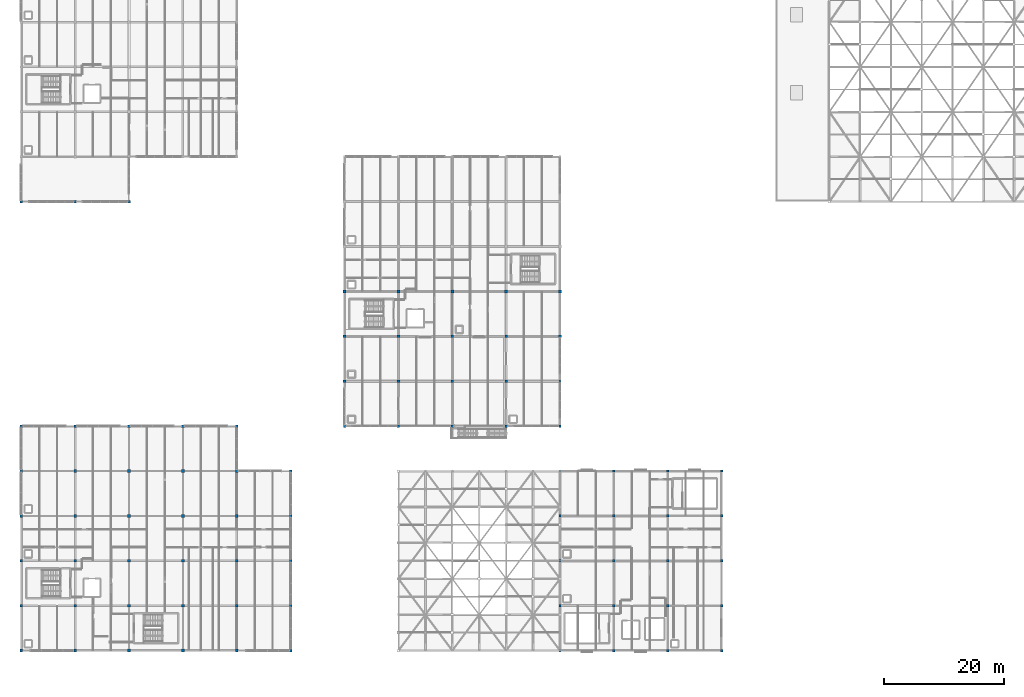
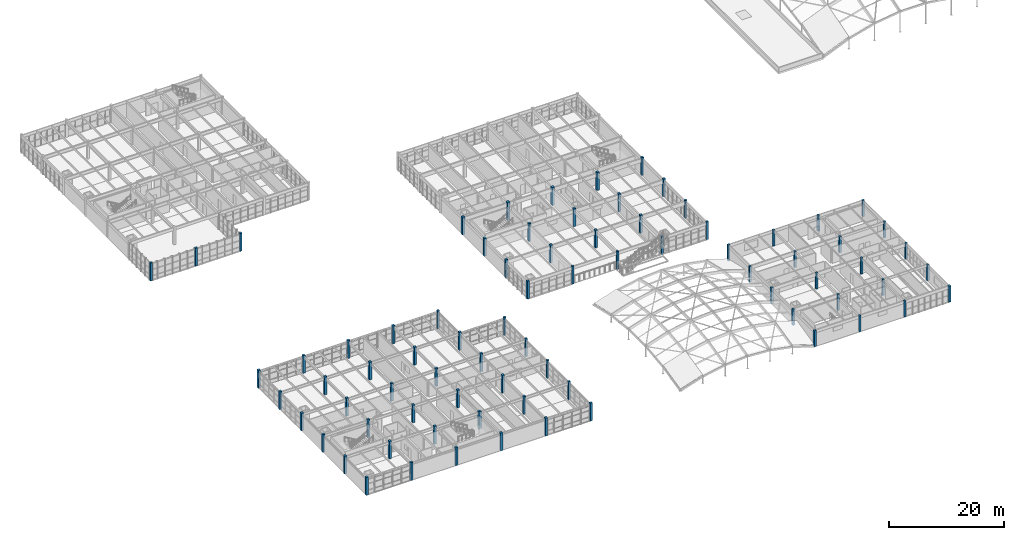
# One storey, part 1 of 81: 78 columns.
"""IFC4 building model written with IfcOpenShell, lengths in metres."""

from ifc_helpers import new_model, si_unit, direction, frame, origin, origin_2d, place, context, subcontext, project, spatial, rectangle, extrude, material, material_profile, profile_set, type_object, element, save


model = new_model("IFC4")

# Units and contexts
model_context = context("Model", 3, precision=1e-05, world=origin(), true_north=direction((0.0, 1.0)))
body_context = subcontext(model_context, "Body", "Model", "MODEL_VIEW")
ifc_project = project(units=[si_unit("LENGTHUNIT", "METRE"), si_unit("AREAUNIT", "SQUARE_METRE"), si_unit("VOLUMEUNIT", "CUBIC_METRE"), si_unit("PLANEANGLEUNIT", "RADIAN"), si_unit("MASSUNIT", "GRAM", prefix="KILO")], contexts=[model_context])

# Site, building, storey
site_placement = place(None, origin())
site = spatial("IfcSite", under=ifc_project, at=site_placement, CompositionType="ELEMENT")
building_placement = place(site_placement, origin())
building = spatial("IfcBuilding", under=site, at=building_placement, Name="Marnridge Secondary College", CompositionType="ELEMENT")
storey_placement = place(building_placement, frame((0.0, 0.0, 8.5)))
storey = spatial("IfcBuildingStorey", under=building, at=storey_placement, Name="L02", CompositionType="ELEMENT", Elevation=8.5)

# Columns
ifc_material_1 = material(Name="Glulam timber GL21", Category="wood")
ifc_material_profile_1 = material_profile(ifc_material_1, rectangle(XDim=0.39990234375, YDim=0.39990234375, at=origin_2d()), Name="GL21 400x400")
ifc_profile_set_1 = profile_set([ifc_material_profile_1], Name="Glulam timber GL21")
column_type_1 = type_object("IfcColumnType", Name="CL-GL400-EXT", PredefinedType="COLUMN", material=ifc_profile_set_1)
column_1_placement = place(storey_placement, frame((45.0, 0.0, 0.0), z_axis=(0.0, 0.0, 1.0), x_axis=(1.0, 0.0, 0.0)))
element("IfcColumn", 1, at=column_1_placement, inside=storey, type_object=column_type_1, Name="Column C-L02-0028", PredefinedType="COLUMN", context=body_context, shape_type="SweptSolid", body=[
    extrude(rectangle(XDim=0.39990234375, YDim=0.39990234375, at=origin_2d()), origin(), (0.0, 0.0, 1.0), 3.800048828125),
])
for number, where, z_axis, x_axis, name in (
    (2, (90.0, 0.0, 0.0), (0.0, 0.0, 1.0), (1.0, 0.0, 0.0), "Column C-L02-0038"),
    (3, (99.0, 0.0, 0.0), (0.0, 0.0, 1.0), (1.0, 0.0, 0.0), "Column C-L02-0041"),
    (4, (108.0, 0.0, 0.0), (0.0, 0.0, 1.0), (1.0, 0.0, 0.0), "Column C-L02-0044"),
    (5, (117.0, 0.0, 0.0), (0.0, 0.0, 1.0), (1.0, 0.0, 0.0), "Column C-L02-0047"),
):
    element("IfcColumn", number, at=place(storey_placement, frame(where, z_axis=z_axis, x_axis=x_axis)), inside=storey, type_object=column_type_1, Name=name, PredefinedType="COLUMN", context=body_context, shape_type="SweptSolid", body=[
        extrude(rectangle(XDim=0.39990234375, YDim=0.39990234375, at=origin_2d()), origin(), (0.0, 0.0, 1.0), 3.419921875),
    ])
column_2_placement = place(storey_placement, frame((45.0, 7.5, 0.0), z_axis=(0.0, 0.0, 1.0), x_axis=(1.0, 0.0, 0.0)))
element("IfcColumn", 6, at=column_2_placement, inside=storey, type_object=column_type_1, Name="Column C-L02-0080", PredefinedType="COLUMN", context=body_context, shape_type="SweptSolid", body=[
    extrude(rectangle(XDim=0.39990234375, YDim=0.39990234375, at=origin_2d()), origin(), (0.0, 0.0, 1.0), 3.800048828125),
])
for number, where, z_axis, x_axis, name in (
    (7, (90.0, 7.5, 0.0), (0.0, 0.0, 1.0), (1.0, 0.0, 0.0), "Column C-L02-0086"),
    (8, (117.0, 7.5, 0.0), (0.0, 0.0, 1.0), (1.0, 0.0, 0.0), "Column C-L02-0095"),
):
    element("IfcColumn", number, at=place(storey_placement, frame(where, z_axis=z_axis, x_axis=x_axis)), inside=storey, type_object=column_type_1, Name=name, PredefinedType="COLUMN", context=body_context, shape_type="SweptSolid", body=[
        extrude(rectangle(XDim=0.39990234375, YDim=0.39990234375, at=origin_2d()), origin(), (0.0, 0.0, 1.0), 3.419921875),
    ])
column_3_placement = place(storey_placement, frame((45.0, 15.0, 0.0), z_axis=(0.0, 0.0, 1.0), x_axis=(1.0, 0.0, 0.0)))
element("IfcColumn", 9, at=column_3_placement, inside=storey, type_object=column_type_1, Name="Column C-L02-0125", PredefinedType="COLUMN", context=body_context, shape_type="SweptSolid", body=[
    extrude(rectangle(XDim=0.39990234375, YDim=0.39990234375, at=origin_2d()), origin(), (0.0, 0.0, 1.0), 3.800048828125),
])
for number, where, z_axis, x_axis, name in (
    (10, (90.0, 15.0, 0.0), (0.0, 0.0, 1.0), (1.0, 0.0, 0.0), "Column C-L02-0131"),
    (11, (117.0, 15.0, 0.0), (0.0, 0.0, 1.0), (1.0, 0.0, 0.0), "Column C-L02-0140"),
):
    element("IfcColumn", number, at=place(storey_placement, frame(where, z_axis=z_axis, x_axis=x_axis)), inside=storey, type_object=column_type_1, Name=name, PredefinedType="COLUMN", context=body_context, shape_type="SweptSolid", body=[
        extrude(rectangle(XDim=0.39990234375, YDim=0.39990234375, at=origin_2d()), origin(), (0.0, 0.0, 1.0), 3.419921875),
    ])
column_4_placement = place(storey_placement, frame((45.0, 22.5, 0.0), z_axis=(0.0, 0.0, 1.0), x_axis=(1.0, 0.0, 0.0)))
element("IfcColumn", 12, at=column_4_placement, inside=storey, type_object=column_type_1, Name="Column C-L02-0170", PredefinedType="COLUMN", context=body_context, shape_type="SweptSolid", body=[
    extrude(rectangle(XDim=0.39990234375, YDim=0.39990234375, at=origin_2d()), origin(), (0.0, 0.0, 1.0), 3.800048828125),
])
for number, where, z_axis, x_axis, name in (
    (13, (90.0, 22.5, 0.0), (0.0, 0.0, 1.0), (1.0, 0.0, 0.0), "Column C-L02-0176"),
    (14, (117.0, 22.5, 0.0), (0.0, 0.0, 1.0), (1.0, 0.0, 0.0), "Column C-L02-0185"),
):
    element("IfcColumn", number, at=place(storey_placement, frame(where, z_axis=z_axis, x_axis=x_axis)), inside=storey, type_object=column_type_1, Name=name, PredefinedType="COLUMN", context=body_context, shape_type="SweptSolid", body=[
        extrude(rectangle(XDim=0.39990234375, YDim=0.39990234375, at=origin_2d()), origin(), (0.0, 0.0, 1.0), 3.419921875),
    ])
column_5_placement = place(storey_placement, frame((45.0, 30.0, 0.0), z_axis=(0.0, 0.0, 1.0), x_axis=(1.0, 0.0, 0.0)))
element("IfcColumn", 15, at=column_5_placement, inside=storey, type_object=column_type_1, Name="Column C-L02-0215", PredefinedType="COLUMN", context=body_context, shape_type="SweptSolid", body=[
    extrude(rectangle(XDim=0.39990234375, YDim=0.39990234375, at=origin_2d()), origin(), (0.0, 0.0, 1.0), 3.800048828125),
])
for number, where, z_axis, x_axis, name in (
    (16, (90.0, 30.0, 0.0), (0.0, 0.0, 1.0), (1.0, 0.0, 0.0), "Column C-L02-0225"),
    (17, (99.0, 30.0, 0.0), (0.0, 0.0, 1.0), (1.0, 0.0, 0.0), "Column C-L02-0228"),
    (18, (108.0, 30.0, 0.0), (0.0, 0.0, 1.0), (1.0, 0.0, 0.0), "Column C-L02-0231"),
    (19, (117.0, 30.0, 0.0), (0.0, 0.0, 1.0), (1.0, 0.0, 0.0), "Column C-L02-0234"),
):
    element("IfcColumn", number, at=place(storey_placement, frame(where, z_axis=z_axis, x_axis=x_axis)), inside=storey, type_object=column_type_1, Name=name, PredefinedType="COLUMN", context=body_context, shape_type="SweptSolid", body=[
        extrude(rectangle(XDim=0.39990234375, YDim=0.39990234375, at=origin_2d()), origin(), (0.0, 0.0, 1.0), 3.419921875),
    ])
for number, where, z_axis, x_axis, name in (
    (20, (36.0, 37.5, 0.0), (0.0, 0.0, 1.0), (1.0, 0.0, 0.0), "Column C-L02-0262"),
    (21, (54.0, 37.5, 0.0), (0.0, 0.0, 1.0), (1.0, 0.0, 0.0), "Column C-L02-0266"),
    (22, (63.0, 37.5, 0.0), (0.0, 0.0, 1.0), (1.0, 0.0, 0.0), "Column C-L02-0269"),
    (23, (72.0, 37.5, 0.0), (0.0, 0.0, 1.0), (1.0, 0.0, 0.0), "Column C-L02-0272"),
    (24, (81.0, 37.5, 0.0), (0.0, 0.0, 1.0), (1.0, 0.0, 0.0), "Column C-L02-0275"),
    (25, (90.0, 37.5, 0.0), (0.0, 0.0, 1.0), (1.0, 0.0, 0.0), "Column C-L02-0278"),
    (26, (90.0, 45.0, 0.0), (0.0, 0.0, 1.0), (1.0, 0.0, 0.0), "Column C-L02-0312"),
    (27, (0.0, 75.0, 0.0), (0.0, 0.0, 1.0), (1.0, 0.0, 0.0), "Column C-L02-0423"),
    (28, (9.0, 75.0, 0.0), (0.0, 0.0, 1.0), (1.0, 0.0, 0.0), "Column C-L02-0426"),
    (29, (18.0, 75.0, 0.0), (0.0, 0.0, 1.0), (1.0, 0.0, 0.0), "Column C-L02-0429"),
):
    element("IfcColumn", number, at=place(storey_placement, frame(where, z_axis=z_axis, x_axis=x_axis)), inside=storey, type_object=column_type_1, Name=name, PredefinedType="COLUMN", context=body_context, shape_type="SweptSolid", body=[
        extrude(rectangle(XDim=0.39990234375, YDim=0.39990234375, at=origin_2d()), origin(), (0.0, 0.0, 1.0), 3.800048828125),
    ])
ifc_material_2 = material(Name="Glulam timber GL21", Category="wood")
ifc_material_profile_2 = material_profile(ifc_material_2, rectangle(XDim=0.39990234375, YDim=0.39990234375, at=origin_2d()), Name="GL21 400x400")
ifc_profile_set_2 = profile_set([ifc_material_profile_2], Name="Glulam timber GL21")
column_type_2 = type_object("IfcColumnType", Name="CL-GL400-INT", PredefinedType="COLUMN", material=ifc_profile_set_2)
for number, where, z_axis, x_axis, name in (
    (30, (99.0, 7.5, 0.0), (0.0, 0.0, 1.0), (1.0, 0.0, 0.0), "Column C-L02-0089"),
    (31, (108.0, 7.5, 0.0), (0.0, 0.0, 1.0), (1.0, 0.0, 0.0), "Column C-L02-0092"),
    (32, (99.0, 15.0, 0.0), (0.0, 0.0, 1.0), (1.0, 0.0, 0.0), "Column C-L02-0134"),
    (33, (108.0, 15.0, 0.0), (0.0, 0.0, 1.0), (1.0, 0.0, 0.0), "Column C-L02-0137"),
    (34, (99.0, 22.5, 0.0), (0.0, 0.0, 1.0), (1.0, 0.0, 0.0), "Column C-L02-0179"),
    (35, (108.0, 22.5, 0.0), (0.0, 0.0, 1.0), (1.0, 0.0, 0.0), "Column C-L02-0182"),
):
    element("IfcColumn", number, at=place(storey_placement, frame(where, z_axis=z_axis, x_axis=x_axis)), inside=storey, type_object=column_type_2, Name=name, PredefinedType="COLUMN", context=body_context, shape_type="SweptSolid", body=[
        extrude(rectangle(XDim=0.39990234375, YDim=0.39990234375, at=origin_2d()), origin(), (0.0, 0.0, 1.0), 3.419921875),
    ])
ifc_material_3 = material(Name="Glulam timber GL21", Category="wood")
ifc_material_profile_3 = material_profile(ifc_material_3, rectangle(XDim=0.449951171875, YDim=0.449951171875, at=origin_2d()), Name="GL21 450x450")
ifc_profile_set_3 = profile_set([ifc_material_profile_3], Name="Glulam timber GL21")
column_type_3 = type_object("IfcColumnType", Name="CL-GL450-EXT", PredefinedType="COLUMN", material=ifc_profile_set_3)
for number, where, z_axis, x_axis, name in (
    (36, (0.0, 0.0, 0.0), (0.0, 0.0, 1.0), (1.0, 0.0, 0.0), "Column C-L02-0003"),
    (37, (9.0, 0.0, 0.0), (0.0, 0.0, 1.0), (1.0, 0.0, 0.0), "Column C-L02-0008"),
    (38, (18.0, 0.0, 0.0), (0.0, 0.0, 1.0), (1.0, 0.0, 0.0), "Column C-L02-0013"),
    (39, (27.0, 0.0, 0.0), (0.0, 0.0, 1.0), (1.0, 0.0, 0.0), "Column C-L02-0018"),
    (40, (36.0, 0.0, 0.0), (0.0, 0.0, 1.0), (1.0, 0.0, 0.0), "Column C-L02-0023"),
    (41, (0.0, 7.5, 0.0), (0.0, 0.0, 1.0), (1.0, 0.0, 0.0), "Column C-L02-0055"),
    (42, (0.0, 15.0, 0.0), (0.0, 0.0, 1.0), (1.0, 0.0, 0.0), "Column C-L02-0100"),
    (43, (0.0, 22.5, 0.0), (0.0, 0.0, 1.0), (1.0, 0.0, 0.0), "Column C-L02-0145"),
    (44, (0.0, 30.0, 0.0), (0.0, 0.0, 1.0), (1.0, 0.0, 0.0), "Column C-L02-0190"),
    (45, (18.0, 30.0, 0.0), (0.0, 0.0, 1.0), (1.0, 0.0, 0.0), "Column C-L02-0200"),
    (46, (27.0, 30.0, 0.0), (0.0, 0.0, 1.0), (1.0, 0.0, 0.0), "Column C-L02-0205"),
    (47, (36.0, 30.0, 0.0), (0.0, 0.0, 1.0), (1.0, 0.0, 0.0), "Column C-L02-0210"),
    (48, (0.0, 37.5, 0.0), (0.0, 0.0, 1.0), (1.0, 0.0, 0.0), "Column C-L02-0242"),
    (49, (9.0, 37.5, 0.0), (0.0, 0.0, 1.0), (1.0, 0.0, 0.0), "Column C-L02-0247"),
    (50, (18.0, 37.5, 0.0), (0.0, 0.0, 1.0), (1.0, 0.0, 0.0), "Column C-L02-0252"),
    (51, (27.0, 37.5, 0.0), (0.0, 0.0, 1.0), (1.0, 0.0, 0.0), "Column C-L02-0257"),
    (52, (54.0, 45.0, 0.0), (0.0, 0.0, 1.0), (1.0, 0.0, 0.0), "Column C-L02-0292"),
    (53, (63.0, 45.0, 0.0), (0.0, 0.0, 1.0), (1.0, 0.0, 0.0), "Column C-L02-0297"),
    (54, (72.0, 45.0, 0.0), (0.0, 0.0, 1.0), (1.0, 0.0, 0.0), "Column C-L02-0302"),
    (55, (81.0, 45.0, 0.0), (0.0, 0.0, 1.0), (1.0, 0.0, 0.0), "Column C-L02-0307"),
    (56, (54.0, 52.5, 0.0), (0.0, 0.0, 1.0), (1.0, 0.0, 0.0), "Column C-L02-0318"),
    (57, (63.0, 52.5, 0.0), (0.0, 0.0, 1.0), (1.0, 0.0, 0.0), "Column C-L02-0325"),
    (58, (72.0, 52.5, 0.0), (0.0, 0.0, 1.0), (1.0, 0.0, 0.0), "Column C-L02-0332"),
    (59, (81.0, 52.5, 0.0), (0.0, 0.0, 1.0), (1.0, 0.0, 0.0), "Column C-L02-0339"),
    (60, (90.0, 52.5, 0.0), (0.0, 0.0, 1.0), (1.0, 0.0, 0.0), "Column C-L02-0346"),
    (61, (54.0, 60.0, 0.0), (0.0, 0.0, 1.0), (1.0, 0.0, 0.0), "Column C-L02-0353"),
    (62, (90.0, 60.0, 0.0), (0.0, 0.0, 1.0), (1.0, 0.0, 0.0), "Column C-L02-0381"),
):
    element("IfcColumn", number, at=place(storey_placement, frame(where, z_axis=z_axis, x_axis=x_axis)), inside=storey, type_object=column_type_3, Name=name, PredefinedType="COLUMN", context=body_context, shape_type="SweptSolid", body=[
        extrude(rectangle(XDim=0.449951171875, YDim=0.449951171875, at=origin_2d()), origin(), (0.0, 0.0, 1.0), 3.800048828125),
    ])
ifc_material_4 = material(Name="Glulam timber GL21", Category="wood")
ifc_material_profile_4 = material_profile(ifc_material_4, rectangle(XDim=0.449951171875, YDim=0.449951171875, at=origin_2d()), Name="GL21 450x450")
ifc_profile_set_4 = profile_set([ifc_material_profile_4], Name="Glulam timber GL21")
column_type_4 = type_object("IfcColumnType", Name="CL-GL450-INT", PredefinedType="COLUMN", material=ifc_profile_set_4)
for number, where, z_axis, x_axis, name in (
    (63, (9.0, 7.5, 0.0), (0.0, 0.0, 1.0), (1.0, 0.0, 0.0), "Column C-L02-0060"),
    (64, (18.0, 7.5, 0.0), (0.0, 0.0, 1.0), (1.0, 0.0, 0.0), "Column C-L02-0065"),
    (65, (27.0, 7.5, 0.0), (0.0, 0.0, 1.0), (1.0, 0.0, 0.0), "Column C-L02-0070"),
    (66, (36.0, 7.5, 0.0), (0.0, 0.0, 1.0), (1.0, 0.0, 0.0), "Column C-L02-0075"),
    (67, (9.0, 15.0, 0.0), (0.0, 0.0, 1.0), (1.0, 0.0, 0.0), "Column C-L02-0105"),
    (68, (18.0, 15.0, 0.0), (0.0, 0.0, 1.0), (1.0, 0.0, 0.0), "Column C-L02-0110"),
    (69, (27.0, 15.0, 0.0), (0.0, 0.0, 1.0), (1.0, 0.0, 0.0), "Column C-L02-0115"),
    (70, (36.0, 15.0, 0.0), (0.0, 0.0, 1.0), (1.0, 0.0, 0.0), "Column C-L02-0120"),
    (71, (9.0, 22.5, 0.0), (0.0, 0.0, 1.0), (1.0, 0.0, 0.0), "Column C-L02-0150"),
    (72, (18.0, 22.5, 0.0), (0.0, 0.0, 1.0), (1.0, 0.0, 0.0), "Column C-L02-0155"),
    (73, (27.0, 22.5, 0.0), (0.0, 0.0, 1.0), (1.0, 0.0, 0.0), "Column C-L02-0160"),
    (74, (36.0, 22.5, 0.0), (0.0, 0.0, 1.0), (1.0, 0.0, 0.0), "Column C-L02-0165"),
    (75, (9.0, 30.0, 0.0), (0.0, 0.0, 1.0), (1.0, 0.0, 0.0), "Column C-L02-0195"),
):
    element("IfcColumn", number, at=place(storey_placement, frame(where, z_axis=z_axis, x_axis=x_axis)), inside=storey, type_object=column_type_4, Name=name, PredefinedType="COLUMN", context=body_context, shape_type="SweptSolid", body=[
        extrude(rectangle(XDim=0.449951171875, YDim=0.449951171875, at=origin_2d()), origin(), (0.0, 0.0, 1.0), 3.800048828125),
    ])
ifc_material_5 = material(Name="Glulam timber GL21", Category="wood")
ifc_material_profile_5 = material_profile(ifc_material_5, rectangle(XDim=0.5, YDim=0.5, at=origin_2d()), Name="GL21 500x500")
ifc_profile_set_5 = profile_set([ifc_material_profile_5], Name="Glulam timber GL21")
column_type_5 = type_object("IfcColumnType", Name="CL-GL500-INT", PredefinedType="COLUMN", material=ifc_profile_set_5)
for number, where, z_axis, x_axis, name in (
    (76, (63.0, 60.0, 0.0), (0.0, 0.0, 1.0), (1.0, 0.0, 0.0), "Column C-L02-0360"),
    (77, (72.0, 60.0, 0.0), (0.0, 0.0, 1.0), (1.0, 0.0, 0.0), "Column C-L02-0367"),
    (78, (81.0, 60.0, 0.0), (0.0, 0.0, 1.0), (1.0, 0.0, 0.0), "Column C-L02-0374"),
):
    element("IfcColumn", number, at=place(storey_placement, frame(where, z_axis=z_axis, x_axis=x_axis)), inside=storey, type_object=column_type_5, Name=name, PredefinedType="COLUMN", context=body_context, shape_type="SweptSolid", body=[
        extrude(rectangle(XDim=0.5, YDim=0.5, at=origin_2d()), origin(), (0.0, 0.0, 1.0), 3.800048828125),
    ])

save(model, "model.ifc")
